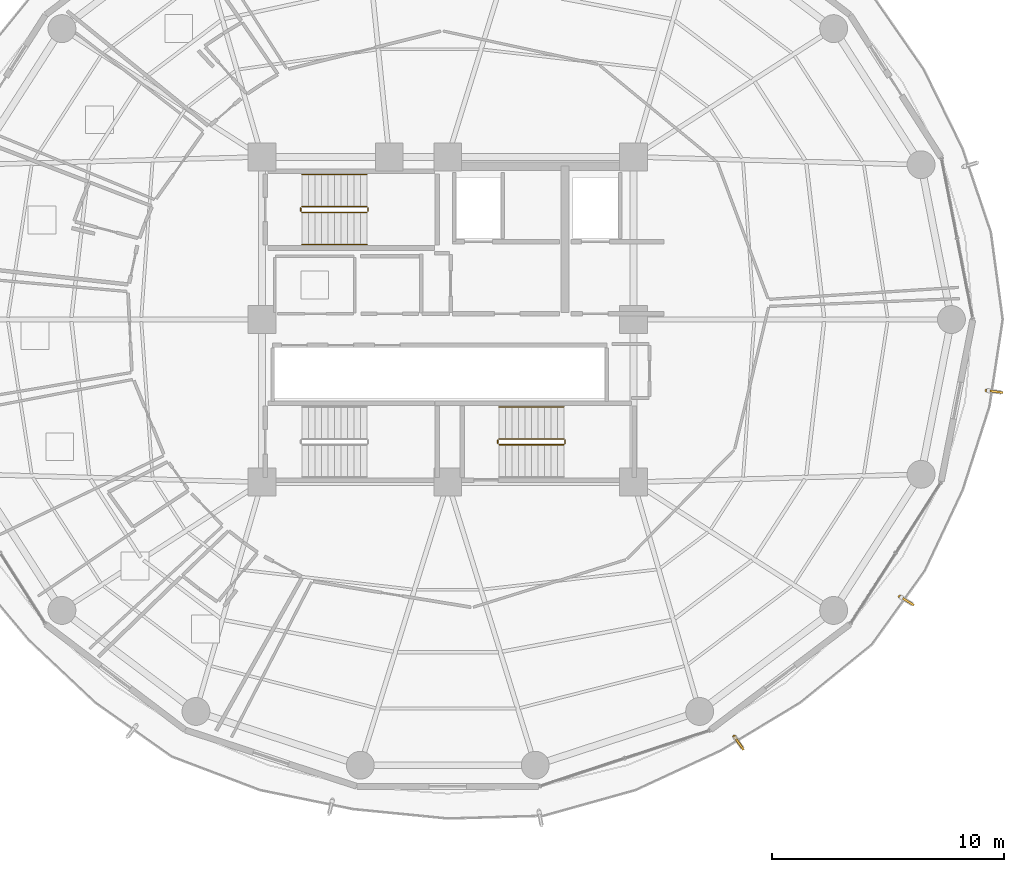
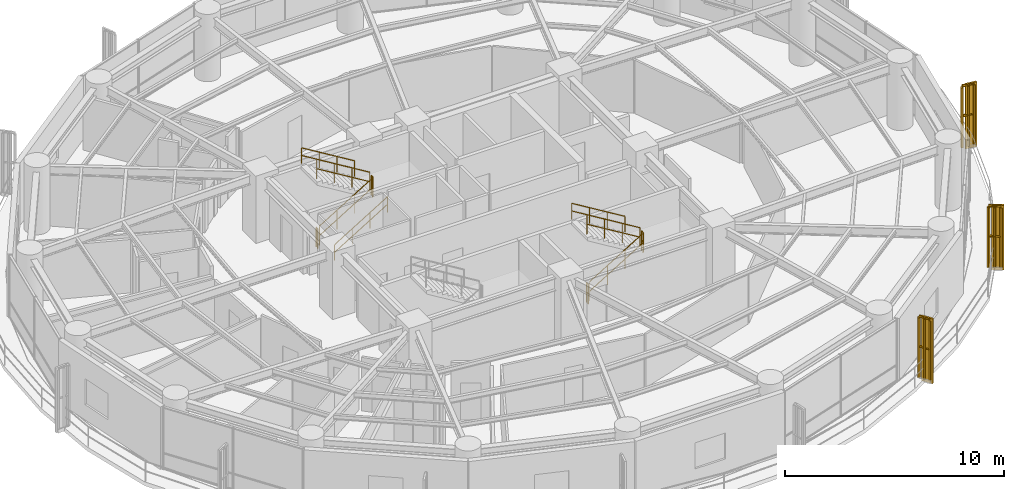
# One storey, part 26 of 27: 14 railings, 3 shading devices.
"""IFC4 building model written with IfcOpenShell, lengths in metres."""

from ifc_helpers import new_model, si_unit, direction, frame, origin, origin_2d, place, context, subcontext, project, spatial, polyline, rectangle, outline, extrude, source, transform, mapped, material, type_object, element, save


model = new_model("IFC4")

# Units and contexts
model_context = context("Model", 3, precision=1e-05, world=origin(), true_north=direction((0.0, 1.0)))
body_context = subcontext(model_context, "Body", "Model", "MODEL_VIEW")
ifc_project = project(units=[si_unit("LENGTHUNIT", "METRE"), si_unit("AREAUNIT", "SQUARE_METRE"), si_unit("VOLUMEUNIT", "CUBIC_METRE"), si_unit("PLANEANGLEUNIT", "RADIAN"), si_unit("MASSUNIT", "GRAM", prefix="KILO")], contexts=[model_context])

# Site, building, storey
site_placement = place(None, origin())
site = spatial("IfcSite", under=ifc_project, at=site_placement, CompositionType="ELEMENT")
building_placement = place(site_placement, origin())
building = spatial("IfcBuilding", under=site, at=building_placement, Name="Kelanora Arch Commons", CompositionType="ELEMENT")
storey_placement = place(building_placement, frame((0.0, 0.0, 165.60009765625)))
storey = spatial("IfcBuildingStorey", under=building, at=storey_placement, Name="L42", CompositionType="ELEMENT", Elevation=165.60009765625)

# Railings
ifc_material_1 = material(Name="Anodised bronze vertical shading fin rib assembly")
railing_type_1 = type_object("IfcRailingType", Name="RAIL-FIN-BRZ", PredefinedType="BALUSTRADE", material=ifc_material_1)
railing_1_placement = place(storey_placement, frame((97.192138671875, 54.947021484375, -0.02001953125)))
element("IfcRailing", 1, at=railing_1_placement, inside=storey, type_object=railing_type_1, Name="Sweeping Bronze Vertical Fin Blade L42-00", PredefinedType="BALUSTRADE", context=body_context, shape_type="SweptSolid", body=[
    extrude(outline(polyline([(0.06982421875, 0.0), (0.034912109375, 0.060546875), (-0.034912109375, 0.060546875), (-0.06982421875, 0.0), (-0.034912109375, -0.060546875), (0.034912109375, -0.060546875), (0.06982421875, 0.0)])), frame((0.0, 0.0, 3.419921875), z_axis=(0.99145719693, -0.130432460129, 0.0), x_axis=(0.130432460129, 0.99145719693, 0.0)), (0.0, 0.0, 1.0), 0.57275390625),
    extrude(outline(polyline([(0.06982421875, 0.0), (0.034912109375, 0.060546875), (-0.034912109375, 0.060546875), (-0.06982421875, 0.0), (-0.034912109375, -0.060546875), (0.034912109375, -0.060546875), (0.06982421875, 0.0)])), frame((0.0, 0.0, 1.7451171875), z_axis=(0.99145719693, -0.130432460129, 0.0), x_axis=(0.130432460129, 0.99145719693, 0.0)), (0.0, 0.0, 1.0), 0.57275390625),
    extrude(outline(polyline([(0.080078125, 0.0), (0.0400390625, 0.0693359375), (-0.0400390625, 0.0693359375), (-0.080078125, 0.0), (-0.0400390625, -0.0693359375), (0.0400390625, -0.0693359375), (0.080078125, 0.0)])), origin(), (0.0, 0.0, 1.0), 3.35009765625),
    extrude(outline(polyline([(0.080078125, 0.0), (0.0400390625, 0.0693359375), (-0.0400390625, 0.0693359375), (-0.080078125, 0.0), (-0.0400390625, -0.0693359375), (0.0400390625, -0.0693359375), (0.080078125, 0.0)])), frame((0.283935546875, -0.037353515625, 0.0)), (0.0, 0.0, 1.0), 3.35009765625),
    extrude(outline(polyline([(0.080078125, 0.0), (0.0400390625, 0.0693359375), (-0.0400390625, 0.0693359375), (-0.080078125, 0.0), (-0.0400390625, -0.0693359375), (0.0400390625, -0.0693359375), (0.080078125, 0.0)])), frame((0.56787109375, -0.07470703125, 0.0)), (0.0, 0.0, 1.0), 3.35009765625),
])
railing_2_placement = place(storey_placement, frame((86.33154296875, 40.058349609375, -0.02001953125)))
element("IfcRailing", 2, at=railing_2_placement, inside=storey, type_object=railing_type_1, Name="Sweeping Bronze Vertical Fin Blade L42-13", PredefinedType="BALUSTRADE", context=body_context, shape_type="SweptSolid", body=[
    extrude(outline(polyline([(0.06982421875, 0.0), (0.034912109375, 0.060546875), (-0.034912109375, 0.060546875), (-0.06982421875, 0.0), (-0.034912109375, -0.060546875), (0.034912109375, -0.060546875), (0.06982421875, 0.0)])), frame((0.0, 0.0, 3.419921875), z_axis=(0.56634795155, -0.824166244016, 0.0), x_axis=(0.824166244016, 0.56634795155, 0.0)), (0.0, 0.0, 1.0), 0.572998046875),
    extrude(outline(polyline([(0.06982421875, 0.0), (0.034912109375, 0.060546875), (-0.034912109375, 0.060546875), (-0.06982421875, 0.0), (-0.034912109375, -0.060546875), (0.034912109375, -0.060546875), (0.06982421875, 0.0)])), frame((0.0, 0.0, 1.7451171875), z_axis=(0.56634795155, -0.824166244016, 0.0), x_axis=(0.824166244016, 0.56634795155, 0.0)), (0.0, 0.0, 1.0), 0.572998046875),
    extrude(outline(polyline([(0.080078125, 0.0), (0.0400390625, 0.0693359375), (-0.0400390625, 0.0693359375), (-0.080078125, 0.0), (-0.0400390625, -0.0693359375), (0.0400390625, -0.0693359375), (0.080078125, 0.0)])), origin(), (0.0, 0.0, 1.0), 3.35009765625),
    extrude(outline(polyline([(0.080078125, 0.0), (0.0400390625, 0.0693359375), (-0.0400390625, 0.0693359375), (-0.080078125, 0.0), (-0.0400390625, -0.0693359375), (0.0400390625, -0.0693359375), (0.080078125, 0.0)])), frame((0.162109375, -0.236083984375, 0.0)), (0.0, 0.0, 1.0), 3.35009765625),
    extrude(outline(polyline([(0.080078125, 0.0), (0.0400390625, 0.0693359375), (-0.0400390625, 0.0693359375), (-0.080078125, 0.0), (-0.0400390625, -0.0693359375), (0.0400390625, -0.0693359375), (0.080078125, 0.0)])), frame((0.324462890625, -0.47216796875, 0.0)), (0.0, 0.0, 1.0), 3.35009765625),
])
railing_3_placement = place(storey_placement, frame((93.459228515625, 46.075927734375, -0.02001953125)))
element("IfcRailing", 3, at=railing_3_placement, inside=storey, type_object=railing_type_1, Name="Sweeping Bronze Vertical Fin Blade L42-14", PredefinedType="BALUSTRADE", context=body_context, shape_type="SweptSolid", body=[
    extrude(outline(polyline([(0.06982421875, 0.0), (0.034912109375, 0.060546875), (-0.034912109375, 0.060546875), (-0.06982421875, 0.0), (-0.034912109375, -0.060546875), (0.034912109375, -0.060546875), (0.06982421875, 0.0)])), frame((0.0, 0.0, 3.419921875), z_axis=(0.852564490713, -0.522622032807, 0.0), x_axis=(0.522622032807, 0.852564490713, 0.0)), (0.0, 0.0, 1.0), 0.57275390625),
    extrude(outline(polyline([(0.06982421875, 0.0), (0.034912109375, 0.060546875), (-0.034912109375, 0.060546875), (-0.06982421875, 0.0), (-0.034912109375, -0.060546875), (0.034912109375, -0.060546875), (0.06982421875, 0.0)])), frame((0.0, 0.0, 1.7451171875), z_axis=(0.852564490713, -0.522622032807, 0.0), x_axis=(0.522622032807, 0.852564490713, 0.0)), (0.0, 0.0, 1.0), 0.57275390625),
    extrude(outline(polyline([(0.080078125, 0.0), (0.0400390625, 0.0693359375), (-0.0400390625, 0.0693359375), (-0.080078125, 0.0), (-0.0400390625, -0.0693359375), (0.0400390625, -0.0693359375), (0.080078125, 0.0)])), origin(), (0.0, 0.0, 1.0), 3.35009765625),
    extrude(outline(polyline([(0.080078125, 0.0), (0.0400390625, 0.0693359375), (-0.0400390625, 0.0693359375), (-0.080078125, 0.0), (-0.0400390625, -0.0693359375), (0.0400390625, -0.0693359375), (0.080078125, 0.0)])), frame((0.244140625, -0.149658203125, 0.0)), (0.0, 0.0, 1.0), 3.35009765625),
    extrude(outline(polyline([(0.080078125, 0.0), (0.0400390625, 0.0693359375), (-0.0400390625, 0.0693359375), (-0.080078125, 0.0), (-0.0400390625, -0.0693359375), (0.0400390625, -0.0693359375), (0.080078125, 0.0)])), frame((0.48828125, -0.29931640625, 0.0)), (0.0, 0.0, 1.0), 3.35009765625),
])
ifc_material_2 = material(Name="Painted steel stair well guard", Category="steel")
railing_type_2 = type_object("IfcRailingType", Name="RAIL-STAIR-GRD", PredefinedType="GUARDRAIL", material=ifc_material_2)
railing_4_placement = place(storey_placement, frame((67.719970703125, 62.610107421875, 0.17041015625)))
element("IfcRailing", 4, at=railing_4_placement, inside=storey, type_object=railing_type_2, Name="L42 ST-T1 stair guard 1", PredefinedType="GUARDRAIL", context=body_context, shape_type="SweptSolid", body=[
    extrude(outline(polyline([(0.02392578125, 0.0), (0.011962890625, 0.020751953125), (-0.011962890625, 0.020751953125), (-0.02392578125, 0.0), (-0.011962890625, -0.020751953125), (0.011962890625, -0.020751953125), (0.02392578125, 0.0)])), frame((0.0, 0.0, 1.076171875), z_axis=(0.854169791009, 0.0, 0.51999420009), x_axis=(0.0, 1.0, 0.0)), (0.0, 0.0, 1.0), 3.278076171875),
    extrude(outline(polyline([(0.02392578125, 0.0), (0.011962890625, 0.020751953125), (-0.011962890625, 0.020751953125), (-0.02392578125, 0.0), (-0.011962890625, -0.020751953125), (0.011962890625, -0.020751953125), (0.02392578125, 0.0)])), frame((0.0, 0.0, 0.550048828125), z_axis=(0.854169791009, 0.0, 0.51999420009), x_axis=(0.0, 1.0, 0.0)), (0.0, 0.0, 1.0), 3.278076171875),
    extrude(outline(polyline([(0.02099609375, 0.0), (0.010498046875, 0.01806640625), (-0.010498046875, 0.01806640625), (-0.02099609375, 0.0), (-0.010498046875, -0.01806640625), (0.010498046875, -0.01806640625), (0.02099609375, 0.0)])), origin(), (0.0, 0.0, 1.0), 1.052001953125),
    extrude(outline(polyline([(0.02099609375, 0.0), (0.010498046875, 0.01806640625), (-0.010498046875, 0.01806640625), (-0.02099609375, 0.0), (-0.010498046875, -0.01806640625), (0.010498046875, -0.01806640625), (0.02099609375, 0.0)])), frame((0.933349609375, 0.0, 0.568115234375)), (0.0, 0.0, 1.0), 1.052001953125),
    extrude(outline(polyline([(0.02099609375, 0.0), (0.010498046875, 0.01806640625), (-0.010498046875, 0.01806640625), (-0.02099609375, 0.0), (-0.010498046875, -0.01806640625), (0.010498046875, -0.01806640625), (0.02099609375, 0.0)])), frame((1.86669921875, 0.0, 1.136474609375)), (0.0, 0.0, 1.0), 1.052001953125),
    extrude(outline(polyline([(0.02099609375, 0.0), (0.010498046875, 0.01806640625), (-0.010498046875, 0.01806640625), (-0.02099609375, 0.0), (-0.010498046875, -0.01806640625), (0.010498046875, -0.01806640625), (0.02099609375, 0.0)])), frame((2.800048828125, 0.0, 1.70458984375)), (0.0, 0.0, 1.0), 1.052001953125),
])
railing_5_placement = place(storey_placement, frame((70.570068359375, 62.659912109375, 1.875)))
element("IfcRailing", 5, at=railing_5_placement, inside=storey, type_object=railing_type_2, Name="L42 ST-T1 stair guard 2", PredefinedType="GUARDRAIL", context=body_context, shape_type="SweptSolid", body=[
    extrude(outline(polyline([(0.02392578125, 0.0), (0.011962890625, 0.020751953125), (-0.011962890625, 0.020751953125), (-0.02392578125, 0.0), (-0.011962890625, -0.020751953125), (0.011962890625, -0.020751953125), (0.02392578125, 0.0)])), frame((0.0, 0.0, 1.076171875), z_axis=(0.0, 1.0, 0.0), x_axis=(-1.0, 0.0, 0.0)), (0.0, 0.0, 1.0), 0.150146484375),
    extrude(outline(polyline([(0.02392578125, 0.0), (0.011962890625, 0.020751953125), (-0.011962890625, 0.020751953125), (-0.02392578125, 0.0), (-0.011962890625, -0.020751953125), (0.011962890625, -0.020751953125), (0.02392578125, 0.0)])), frame((0.0, 0.0, 0.550048828125), z_axis=(0.0, 1.0, 0.0), x_axis=(-1.0, 0.0, 0.0)), (0.0, 0.0, 1.0), 0.150146484375),
    extrude(outline(polyline([(0.02099609375, 0.0), (0.010498046875, 0.01806640625), (-0.010498046875, 0.01806640625), (-0.02099609375, 0.0), (-0.010498046875, -0.01806640625), (0.010498046875, -0.01806640625), (0.02099609375, 0.0)])), origin(), (0.0, 0.0, 1.0), 1.052001953125),
    extrude(outline(polyline([(0.02099609375, 0.0), (0.010498046875, 0.01806640625), (-0.010498046875, 0.01806640625), (-0.02099609375, 0.0), (-0.010498046875, -0.01806640625), (0.010498046875, -0.01806640625), (0.02099609375, 0.0)])), frame((0.0, 0.150146484375, 0.0)), (0.0, 0.0, 1.0), 1.052001953125),
])
railing_6_placement = place(storey_placement, frame((70.52001953125, 62.860107421875, 2.04541015625)))
element("IfcRailing", 6, at=railing_6_placement, inside=storey, type_object=railing_type_2, Name="L42 ST-T1 stair guard 3", PredefinedType="GUARDRAIL", context=body_context, shape_type="SweptSolid", body=[
    extrude(outline(polyline([(0.02392578125, 0.0), (0.011962890625, 0.020751953125), (-0.011962890625, 0.020751953125), (-0.02392578125, 0.0), (-0.011962890625, -0.020751953125), (0.011962890625, -0.020751953125), (0.02392578125, 0.0)])), frame((0.0, 0.0, 1.076171875), z_axis=(-0.854169791009, 0.0, 0.51999420009), x_axis=(0.0, -1.0, 0.0)), (0.0, 0.0, 1.0), 3.278076171875),
    extrude(outline(polyline([(0.02392578125, 0.0), (0.011962890625, 0.020751953125), (-0.011962890625, 0.020751953125), (-0.02392578125, 0.0), (-0.011962890625, -0.020751953125), (0.011962890625, -0.020751953125), (0.02392578125, 0.0)])), frame((0.0, 0.0, 0.550048828125), z_axis=(-0.854169791009, 0.0, 0.51999420009), x_axis=(0.0, -1.0, 0.0)), (0.0, 0.0, 1.0), 3.278076171875),
    extrude(outline(polyline([(0.02099609375, 0.0), (0.010498046875, 0.01806640625), (-0.010498046875, 0.01806640625), (-0.02099609375, 0.0), (-0.010498046875, -0.01806640625), (0.010498046875, -0.01806640625), (0.02099609375, 0.0)])), origin(), (0.0, 0.0, 1.0), 1.052001953125),
    extrude(outline(polyline([(0.02099609375, 0.0), (0.010498046875, 0.01806640625), (-0.010498046875, 0.01806640625), (-0.02099609375, 0.0), (-0.010498046875, -0.01806640625), (0.010498046875, -0.01806640625), (0.02099609375, 0.0)])), frame((-0.933349609375, 0.0, 0.568115234375)), (0.0, 0.0, 1.0), 1.052001953125),
    extrude(outline(polyline([(0.02099609375, 0.0), (0.010498046875, 0.01806640625), (-0.010498046875, 0.01806640625), (-0.02099609375, 0.0), (-0.010498046875, -0.01806640625), (0.010498046875, -0.01806640625), (0.02099609375, 0.0)])), frame((-1.86669921875, 0.0, 1.136474609375)), (0.0, 0.0, 1.0), 1.052001953125),
    extrude(outline(polyline([(0.02099609375, 0.0), (0.010498046875, 0.01806640625), (-0.010498046875, 0.01806640625), (-0.02099609375, 0.0), (-0.010498046875, -0.01806640625), (0.010498046875, -0.01806640625), (0.02099609375, 0.0)])), frame((-2.800048828125, 0.0, 1.70458984375)), (0.0, 0.0, 1.0), 1.052001953125),
])
railing_7_placement = place(storey_placement, frame((67.669921875, 62.659912109375, 0.0)))
element("IfcRailing", 7, at=railing_7_placement, inside=storey, type_object=railing_type_2, Name="L42 ST-T1 stair guard 4", PredefinedType="GUARDRAIL", context=body_context, shape_type="SweptSolid", body=[
    extrude(outline(polyline([(0.02392578125, 0.0), (0.011962890625, 0.020751953125), (-0.011962890625, 0.020751953125), (-0.02392578125, 0.0), (-0.011962890625, -0.020751953125), (0.011962890625, -0.020751953125), (0.02392578125, 0.0)])), frame((0.0, 0.0, 1.076171875), z_axis=(0.0, 1.0, 0.0), x_axis=(-1.0, 0.0, 0.0)), (0.0, 0.0, 1.0), 0.150146484375),
    extrude(outline(polyline([(0.02392578125, 0.0), (0.011962890625, 0.020751953125), (-0.011962890625, 0.020751953125), (-0.02392578125, 0.0), (-0.011962890625, -0.020751953125), (0.011962890625, -0.020751953125), (0.02392578125, 0.0)])), frame((0.0, 0.0, 0.550048828125), z_axis=(0.0, 1.0, 0.0), x_axis=(-1.0, 0.0, 0.0)), (0.0, 0.0, 1.0), 0.150146484375),
    extrude(outline(polyline([(0.02099609375, 0.0), (0.010498046875, 0.01806640625), (-0.010498046875, 0.01806640625), (-0.02099609375, 0.0), (-0.010498046875, -0.01806640625), (0.010498046875, -0.01806640625), (0.02099609375, 0.0)])), origin(), (0.0, 0.0, 1.0), 1.052001953125),
    extrude(outline(polyline([(0.02099609375, 0.0), (0.010498046875, 0.01806640625), (-0.010498046875, 0.01806640625), (-0.02099609375, 0.0), (-0.010498046875, -0.01806640625), (0.010498046875, -0.01806640625), (0.02099609375, 0.0)])), frame((0.0, 0.150146484375, 0.0)), (0.0, 0.0, 1.0), 1.052001953125),
])
railing_8_placement = place(storey_placement, frame((76.199951171875, 52.610107421875, 0.17041015625)))
element("IfcRailing", 8, at=railing_8_placement, inside=storey, type_object=railing_type_2, Name="L42 ST-T2 stair guard 1", PredefinedType="GUARDRAIL", context=body_context, shape_type="SweptSolid", body=[
    extrude(outline(polyline([(0.02392578125, 0.0), (0.011962890625, 0.020751953125), (-0.011962890625, 0.020751953125), (-0.02392578125, 0.0), (-0.011962890625, -0.020751953125), (0.011962890625, -0.020751953125), (0.02392578125, 0.0)])), frame((0.0, 0.0, 1.076171875), z_axis=(0.854169791009, 0.0, 0.51999420009), x_axis=(0.0, 1.0, 0.0)), (0.0, 0.0, 1.0), 3.278076171875),
    extrude(outline(polyline([(0.02392578125, 0.0), (0.011962890625, 0.020751953125), (-0.011962890625, 0.020751953125), (-0.02392578125, 0.0), (-0.011962890625, -0.020751953125), (0.011962890625, -0.020751953125), (0.02392578125, 0.0)])), frame((0.0, 0.0, 0.550048828125), z_axis=(0.854169791009, 0.0, 0.51999420009), x_axis=(0.0, 1.0, 0.0)), (0.0, 0.0, 1.0), 3.278076171875),
    extrude(outline(polyline([(0.02099609375, 0.0), (0.010498046875, 0.01806640625), (-0.010498046875, 0.01806640625), (-0.02099609375, 0.0), (-0.010498046875, -0.01806640625), (0.010498046875, -0.01806640625), (0.02099609375, 0.0)])), origin(), (0.0, 0.0, 1.0), 1.052001953125),
    extrude(outline(polyline([(0.02099609375, 0.0), (0.010498046875, 0.01806640625), (-0.010498046875, 0.01806640625), (-0.02099609375, 0.0), (-0.010498046875, -0.01806640625), (0.010498046875, -0.01806640625), (0.02099609375, 0.0)])), frame((0.933349609375, 0.0, 0.568115234375)), (0.0, 0.0, 1.0), 1.052001953125),
    extrude(outline(polyline([(0.02099609375, 0.0), (0.010498046875, 0.01806640625), (-0.010498046875, 0.01806640625), (-0.02099609375, 0.0), (-0.010498046875, -0.01806640625), (0.010498046875, -0.01806640625), (0.02099609375, 0.0)])), frame((1.86669921875, 0.0, 1.136474609375)), (0.0, 0.0, 1.0), 1.052001953125),
    extrude(outline(polyline([(0.02099609375, 0.0), (0.010498046875, 0.01806640625), (-0.010498046875, 0.01806640625), (-0.02099609375, 0.0), (-0.010498046875, -0.01806640625), (0.010498046875, -0.01806640625), (0.02099609375, 0.0)])), frame((2.800048828125, 0.0, 1.70458984375)), (0.0, 0.0, 1.0), 1.052001953125),
])
railing_9_placement = place(storey_placement, frame((79.050048828125, 52.659912109375, 1.875)))
element("IfcRailing", 9, at=railing_9_placement, inside=storey, type_object=railing_type_2, Name="L42 ST-T2 stair guard 2", PredefinedType="GUARDRAIL", context=body_context, shape_type="SweptSolid", body=[
    extrude(outline(polyline([(0.02392578125, 0.0), (0.011962890625, 0.020751953125), (-0.011962890625, 0.020751953125), (-0.02392578125, 0.0), (-0.011962890625, -0.020751953125), (0.011962890625, -0.020751953125), (0.02392578125, 0.0)])), frame((0.0, 0.0, 1.076171875), z_axis=(0.0, 1.0, 0.0), x_axis=(-1.0, 0.0, 0.0)), (0.0, 0.0, 1.0), 0.150146484375),
    extrude(outline(polyline([(0.02392578125, 0.0), (0.011962890625, 0.020751953125), (-0.011962890625, 0.020751953125), (-0.02392578125, 0.0), (-0.011962890625, -0.020751953125), (0.011962890625, -0.020751953125), (0.02392578125, 0.0)])), frame((0.0, 0.0, 0.550048828125), z_axis=(0.0, 1.0, 0.0), x_axis=(-1.0, 0.0, 0.0)), (0.0, 0.0, 1.0), 0.150146484375),
    extrude(outline(polyline([(0.02099609375, 0.0), (0.010498046875, 0.01806640625), (-0.010498046875, 0.01806640625), (-0.02099609375, 0.0), (-0.010498046875, -0.01806640625), (0.010498046875, -0.01806640625), (0.02099609375, 0.0)])), origin(), (0.0, 0.0, 1.0), 1.052001953125),
    extrude(outline(polyline([(0.02099609375, 0.0), (0.010498046875, 0.01806640625), (-0.010498046875, 0.01806640625), (-0.02099609375, 0.0), (-0.010498046875, -0.01806640625), (0.010498046875, -0.01806640625), (0.02099609375, 0.0)])), frame((0.0, 0.150146484375, 0.0)), (0.0, 0.0, 1.0), 1.052001953125),
])
railing_10_placement = place(storey_placement, frame((79.0, 52.860107421875, 2.04541015625)))
element("IfcRailing", 10, at=railing_10_placement, inside=storey, type_object=railing_type_2, Name="L42 ST-T2 stair guard 3", PredefinedType="GUARDRAIL", context=body_context, shape_type="SweptSolid", body=[
    extrude(outline(polyline([(0.02392578125, 0.0), (0.011962890625, 0.020751953125), (-0.011962890625, 0.020751953125), (-0.02392578125, 0.0), (-0.011962890625, -0.020751953125), (0.011962890625, -0.020751953125), (0.02392578125, 0.0)])), frame((0.0, 0.0, 1.076171875), z_axis=(-0.854169791009, 0.0, 0.51999420009), x_axis=(0.0, -1.0, 0.0)), (0.0, 0.0, 1.0), 3.278076171875),
    extrude(outline(polyline([(0.02392578125, 0.0), (0.011962890625, 0.020751953125), (-0.011962890625, 0.020751953125), (-0.02392578125, 0.0), (-0.011962890625, -0.020751953125), (0.011962890625, -0.020751953125), (0.02392578125, 0.0)])), frame((0.0, 0.0, 0.550048828125), z_axis=(-0.854169791009, 0.0, 0.51999420009), x_axis=(0.0, -1.0, 0.0)), (0.0, 0.0, 1.0), 3.278076171875),
    extrude(outline(polyline([(0.02099609375, 0.0), (0.010498046875, 0.01806640625), (-0.010498046875, 0.01806640625), (-0.02099609375, 0.0), (-0.010498046875, -0.01806640625), (0.010498046875, -0.01806640625), (0.02099609375, 0.0)])), origin(), (0.0, 0.0, 1.0), 1.052001953125),
    extrude(outline(polyline([(0.02099609375, 0.0), (0.010498046875, 0.01806640625), (-0.010498046875, 0.01806640625), (-0.02099609375, 0.0), (-0.010498046875, -0.01806640625), (0.010498046875, -0.01806640625), (0.02099609375, 0.0)])), frame((-0.933349609375, 0.0, 0.568115234375)), (0.0, 0.0, 1.0), 1.052001953125),
    extrude(outline(polyline([(0.02099609375, 0.0), (0.010498046875, 0.01806640625), (-0.010498046875, 0.01806640625), (-0.02099609375, 0.0), (-0.010498046875, -0.01806640625), (0.010498046875, -0.01806640625), (0.02099609375, 0.0)])), frame((-1.86669921875, 0.0, 1.136474609375)), (0.0, 0.0, 1.0), 1.052001953125),
    extrude(outline(polyline([(0.02099609375, 0.0), (0.010498046875, 0.01806640625), (-0.010498046875, 0.01806640625), (-0.02099609375, 0.0), (-0.010498046875, -0.01806640625), (0.010498046875, -0.01806640625), (0.02099609375, 0.0)])), frame((-2.800048828125, 0.0, 1.70458984375)), (0.0, 0.0, 1.0), 1.052001953125),
])
railing_11_placement = place(storey_placement, frame((76.14990234375, 52.659912109375, 0.0)))
element("IfcRailing", 11, at=railing_11_placement, inside=storey, type_object=railing_type_2, Name="L42 ST-T2 stair guard 4", PredefinedType="GUARDRAIL", context=body_context, shape_type="SweptSolid", body=[
    extrude(outline(polyline([(0.02392578125, 0.0), (0.011962890625, 0.020751953125), (-0.011962890625, 0.020751953125), (-0.02392578125, 0.0), (-0.011962890625, -0.020751953125), (0.011962890625, -0.020751953125), (0.02392578125, 0.0)])), frame((0.0, 0.0, 1.076171875), z_axis=(0.0, 1.0, 0.0), x_axis=(-1.0, 0.0, 0.0)), (0.0, 0.0, 1.0), 0.150146484375),
    extrude(outline(polyline([(0.02392578125, 0.0), (0.011962890625, 0.020751953125), (-0.011962890625, 0.020751953125), (-0.02392578125, 0.0), (-0.011962890625, -0.020751953125), (0.011962890625, -0.020751953125), (0.02392578125, 0.0)])), frame((0.0, 0.0, 0.550048828125), z_axis=(0.0, 1.0, 0.0), x_axis=(-1.0, 0.0, 0.0)), (0.0, 0.0, 1.0), 0.150146484375),
    extrude(outline(polyline([(0.02099609375, 0.0), (0.010498046875, 0.01806640625), (-0.010498046875, 0.01806640625), (-0.02099609375, 0.0), (-0.010498046875, -0.01806640625), (0.010498046875, -0.01806640625), (0.02099609375, 0.0)])), origin(), (0.0, 0.0, 1.0), 1.052001953125),
    extrude(outline(polyline([(0.02099609375, 0.0), (0.010498046875, 0.01806640625), (-0.010498046875, 0.01806640625), (-0.02099609375, 0.0), (-0.010498046875, -0.01806640625), (0.010498046875, -0.01806640625), (0.02099609375, 0.0)])), frame((0.0, 0.150146484375, 0.0)), (0.0, 0.0, 1.0), 1.052001953125),
])
ifc_material_3 = material(Name="Brushed stainless steel stair handrail", Category="steel")
railing_type_3 = type_object("IfcRailingType", Name="RAIL-STAIR-HND", PredefinedType="HANDRAIL", material=ifc_material_3)
railing_12_placement = place(storey_placement, frame((67.719970703125, 61.22998046875, 0.17041015625)))
element("IfcRailing", 12, at=railing_12_placement, inside=storey, type_object=railing_type_3, Name="L42 ST-T1 stair handrail 1", PredefinedType="HANDRAIL", context=body_context, shape_type="SweptSolid", body=[
    extrude(outline(polyline([(0.02392578125, 0.0), (0.011962890625, 0.020751953125), (-0.011962890625, 0.020751953125), (-0.02392578125, 0.0), (-0.011962890625, -0.020751953125), (0.011962890625, -0.020751953125), (0.02392578125, 0.0)])), frame((0.0, 0.0, 0.8759765625), z_axis=(0.854169791009, 0.0, 0.51999420009), x_axis=(0.0, 1.0, 0.0)), (0.0, 0.0, 1.0), 3.278076171875),
    extrude(outline(polyline([(0.02392578125, 0.0), (0.011962890625, 0.020751953125), (-0.011962890625, 0.020751953125), (-0.02392578125, 0.0), (-0.011962890625, -0.020751953125), (0.011962890625, -0.020751953125), (0.02392578125, 0.0)])), frame((0.0, 0.0, 0.449951171875), z_axis=(0.854169791009, 0.0, 0.51999420009), x_axis=(0.0, 1.0, 0.0)), (0.0, 0.0, 1.0), 3.278076171875),
    extrude(outline(polyline([(0.02099609375, 0.0), (0.010498046875, 0.01806640625), (-0.010498046875, 0.01806640625), (-0.02099609375, 0.0), (-0.010498046875, -0.01806640625), (0.010498046875, -0.01806640625), (0.02099609375, 0.0)])), origin(), (0.0, 0.0, 1.0), 0.851806640625),
    extrude(outline(polyline([(0.02099609375, 0.0), (0.010498046875, 0.01806640625), (-0.010498046875, 0.01806640625), (-0.02099609375, 0.0), (-0.010498046875, -0.01806640625), (0.010498046875, -0.01806640625), (0.02099609375, 0.0)])), frame((0.933349609375, 0.0, 0.568115234375)), (0.0, 0.0, 1.0), 0.851806640625),
    extrude(outline(polyline([(0.02099609375, 0.0), (0.010498046875, 0.01806640625), (-0.010498046875, 0.01806640625), (-0.02099609375, 0.0), (-0.010498046875, -0.01806640625), (0.010498046875, -0.01806640625), (0.02099609375, 0.0)])), frame((1.86669921875, 0.0, 1.136474609375)), (0.0, 0.0, 1.0), 0.851806640625),
    extrude(outline(polyline([(0.02099609375, 0.0), (0.010498046875, 0.01806640625), (-0.010498046875, 0.01806640625), (-0.02099609375, 0.0), (-0.010498046875, -0.01806640625), (0.010498046875, -0.01806640625), (0.02099609375, 0.0)])), frame((2.800048828125, 0.0, 1.70458984375)), (0.0, 0.0, 1.0), 0.851806640625),
])
railing_13_placement = place(storey_placement, frame((70.52001953125, 64.239990234375, 2.04541015625)))
element("IfcRailing", 13, at=railing_13_placement, inside=storey, type_object=railing_type_3, Name="L42 ST-T1 stair handrail 2", PredefinedType="HANDRAIL", context=body_context, shape_type="SweptSolid", body=[
    extrude(outline(polyline([(0.02392578125, 0.0), (0.011962890625, 0.020751953125), (-0.011962890625, 0.020751953125), (-0.02392578125, 0.0), (-0.011962890625, -0.020751953125), (0.011962890625, -0.020751953125), (0.02392578125, 0.0)])), frame((0.0, 0.0, 0.8759765625), z_axis=(-0.854169791009, 0.0, 0.51999420009), x_axis=(0.0, -1.0, 0.0)), (0.0, 0.0, 1.0), 3.278076171875),
    extrude(outline(polyline([(0.02392578125, 0.0), (0.011962890625, 0.020751953125), (-0.011962890625, 0.020751953125), (-0.02392578125, 0.0), (-0.011962890625, -0.020751953125), (0.011962890625, -0.020751953125), (0.02392578125, 0.0)])), frame((0.0, 0.0, 0.449951171875), z_axis=(-0.854169791009, 0.0, 0.51999420009), x_axis=(0.0, -1.0, 0.0)), (0.0, 0.0, 1.0), 3.278076171875),
    extrude(outline(polyline([(0.02099609375, 0.0), (0.010498046875, 0.01806640625), (-0.010498046875, 0.01806640625), (-0.02099609375, 0.0), (-0.010498046875, -0.01806640625), (0.010498046875, -0.01806640625), (0.02099609375, 0.0)])), origin(), (0.0, 0.0, 1.0), 0.851806640625),
    extrude(outline(polyline([(0.02099609375, 0.0), (0.010498046875, 0.01806640625), (-0.010498046875, 0.01806640625), (-0.02099609375, 0.0), (-0.010498046875, -0.01806640625), (0.010498046875, -0.01806640625), (0.02099609375, 0.0)])), frame((-0.933349609375, 0.0, 0.568115234375)), (0.0, 0.0, 1.0), 0.851806640625),
    extrude(outline(polyline([(0.02099609375, 0.0), (0.010498046875, 0.01806640625), (-0.010498046875, 0.01806640625), (-0.02099609375, 0.0), (-0.010498046875, -0.01806640625), (0.010498046875, -0.01806640625), (0.02099609375, 0.0)])), frame((-1.86669921875, 0.0, 1.136474609375)), (0.0, 0.0, 1.0), 0.851806640625),
    extrude(outline(polyline([(0.02099609375, 0.0), (0.010498046875, 0.01806640625), (-0.010498046875, 0.01806640625), (-0.02099609375, 0.0), (-0.010498046875, -0.01806640625), (0.010498046875, -0.01806640625), (0.02099609375, 0.0)])), frame((-2.800048828125, 0.0, 1.70458984375)), (0.0, 0.0, 1.0), 0.851806640625),
])
railing_14_placement = place(storey_placement, frame((79.0, 54.239990234375, 2.04541015625)))
element("IfcRailing", 14, at=railing_14_placement, inside=storey, type_object=railing_type_3, Name="L42 ST-T2 stair handrail 2", PredefinedType="HANDRAIL", context=body_context, shape_type="SweptSolid", body=[
    extrude(outline(polyline([(0.02392578125, 0.0), (0.011962890625, 0.020751953125), (-0.011962890625, 0.020751953125), (-0.02392578125, 0.0), (-0.011962890625, -0.020751953125), (0.011962890625, -0.020751953125), (0.02392578125, 0.0)])), frame((0.0, 0.0, 0.8759765625), z_axis=(-0.854169791009, 0.0, 0.51999420009), x_axis=(0.0, -1.0, 0.0)), (0.0, 0.0, 1.0), 3.278076171875),
    extrude(outline(polyline([(0.02392578125, 0.0), (0.011962890625, 0.020751953125), (-0.011962890625, 0.020751953125), (-0.02392578125, 0.0), (-0.011962890625, -0.020751953125), (0.011962890625, -0.020751953125), (0.02392578125, 0.0)])), frame((0.0, 0.0, 0.449951171875), z_axis=(-0.854169791009, 0.0, 0.51999420009), x_axis=(0.0, -1.0, 0.0)), (0.0, 0.0, 1.0), 3.278076171875),
    extrude(outline(polyline([(0.02099609375, 0.0), (0.010498046875, 0.01806640625), (-0.010498046875, 0.01806640625), (-0.02099609375, 0.0), (-0.010498046875, -0.01806640625), (0.010498046875, -0.01806640625), (0.02099609375, 0.0)])), origin(), (0.0, 0.0, 1.0), 0.851806640625),
    extrude(outline(polyline([(0.02099609375, 0.0), (0.010498046875, 0.01806640625), (-0.010498046875, 0.01806640625), (-0.02099609375, 0.0), (-0.010498046875, -0.01806640625), (0.010498046875, -0.01806640625), (0.02099609375, 0.0)])), frame((-0.933349609375, 0.0, 0.568115234375)), (0.0, 0.0, 1.0), 0.851806640625),
    extrude(outline(polyline([(0.02099609375, 0.0), (0.010498046875, 0.01806640625), (-0.010498046875, 0.01806640625), (-0.02099609375, 0.0), (-0.010498046875, -0.01806640625), (0.010498046875, -0.01806640625), (0.02099609375, 0.0)])), frame((-1.86669921875, 0.0, 1.136474609375)), (0.0, 0.0, 1.0), 0.851806640625),
    extrude(outline(polyline([(0.02099609375, 0.0), (0.010498046875, 0.01806640625), (-0.010498046875, 0.01806640625), (-0.02099609375, 0.0), (-0.010498046875, -0.01806640625), (0.010498046875, -0.01806640625), (0.02099609375, 0.0)])), frame((-2.800048828125, 0.0, 1.70458984375)), (0.0, 0.0, 1.0), 0.851806640625),
])

# Shading devices
ifc_material_4 = material(Name="Terracotta ceramic-clad extruded aluminium fin", Category="masonry")
shading_device_type = type_object("IfcShadingDeviceType", Name="SHD-FIN-WAIST", PredefinedType="USERDEFINED", material=ifc_material_4)
shared_shape = source(origin(), body_context, "Body", "SweptSolid", [
    extrude(rectangle(XDim=0.56005859375, YDim=0.090087890625, at=origin_2d()), origin(), (0.0, 0.0, 1.0), 3.610107421875),
])
for number, where, z_axis, x_axis, name in (
    (15, (97.614990234375, 54.8916015625, -0.14013671875), (0.0, 0.0, 1.0), (0.991444861374, -0.13052619222, 0.0), "Sweeping Terracotta Fin L42-00"),
    (16, (86.572998046875, 39.706787109375, -0.14013671875), (0.0, 0.0, 1.0), (0.566406236925, -0.824126188622, 0.0), "Sweeping Terracotta Fin L42-13"),
    (17, (93.82275390625, 45.85302734375, -0.14013671875), (0.0, 0.0, 1.0), (0.852640164354, -0.522498564716, 0.0), "Sweeping Terracotta Fin L42-14"),
):
    element("IfcShadingDevice", number, at=place(storey_placement, frame(where, z_axis=z_axis, x_axis=x_axis)), inside=storey, type_object=shading_device_type, Name=name, ObjectType="FIN", PredefinedType="USERDEFINED", context=body_context, shape_type="MappedRepresentation", body=[
        mapped(shared_shape, transform((0.0, 0.0, 0.0), scale=1.0)),
    ])

save(model, "model.ifc")
